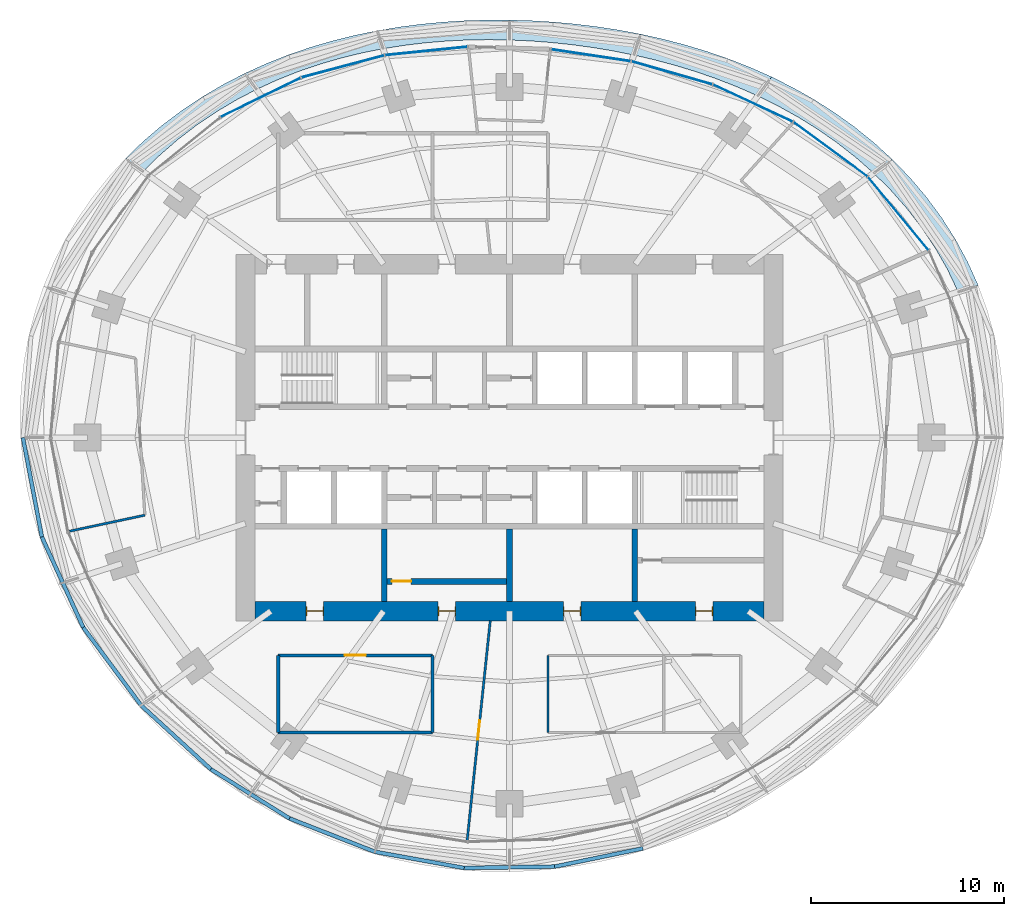
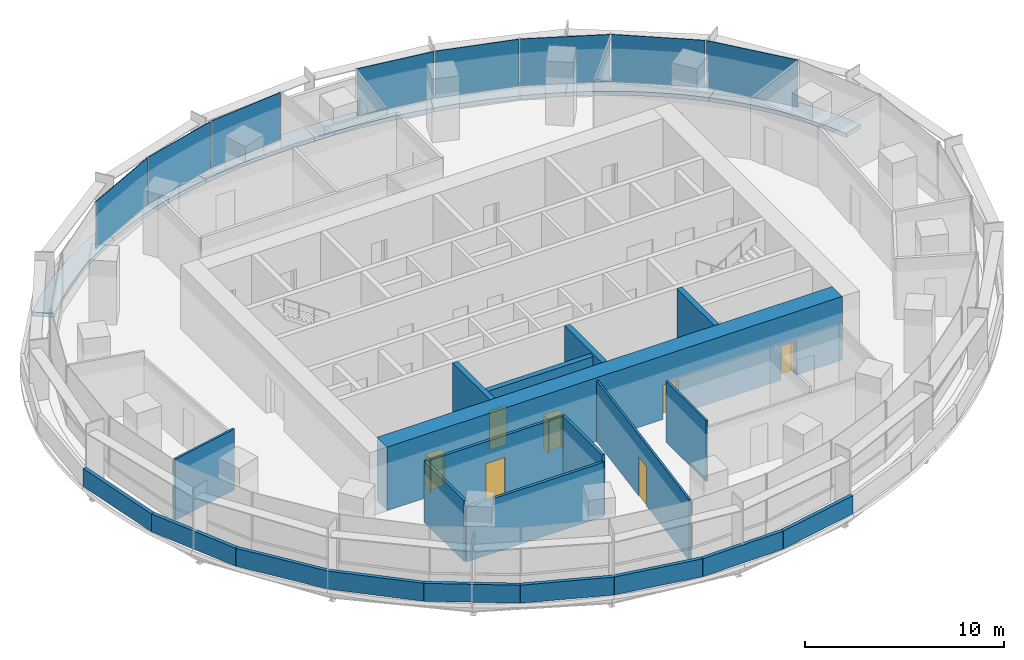
# One storey, part 11 of 17: 21 walls, 8 plates, 7 doors, 7 slabs, 7 openings, 4 elements without a shape of their own.
"""IFC4 building model written with IfcOpenShell, lengths in metres."""

import ifcopenshell
import ifcopenshell.guid

model = None  # the IFC model being written
_history = None  # IfcOwnerHistory: only IFC2X3 demands one
_inside = {}  # id of a spatial element -> (the spatial element, [elements in it])
_under = {}  # id of a project, library or spatial element -> (it, [spatial elements below it])
_declared = {}  # id of a project -> (the project, [libraries it declares])
_typed = {}  # id of a type object -> (the type object, [elements of that type])
_made_of = {}  # id of a material, layer set ... -> (it, [elements and type objects made of it])


def new_model(schema):
    """Start an empty IFC model of exactly this schema.

    Asked for "IFC4X3", IfcOpenShell would pick the latest addendum, in which some entities
    have other attributes; the version numbers below select the first issue.
    IFC2X3 requires an IfcOwnerHistory on every rooted entity: one is made here for all.
    """
    global model, _history
    if schema == "IFC4X3":
        model = ifcopenshell.file(schema_version=(4, 3, 0, 0))
    else:
        model = ifcopenshell.file(schema=schema)
    _inside.clear()
    _under.clear()
    _declared.clear()
    _typed.clear()
    _made_of.clear()
    _history = None
    if model.schema == "IFC2X3":
        org = make("IfcOrganization", Name="unknown")
        user = make(
            "IfcPersonAndOrganization",
            ThePerson=make("IfcPerson", FamilyName="unknown"),
            TheOrganization=org,
        )
        app = make(
            "IfcApplication",
            ApplicationDeveloper=org,
            Version="unknown",
            ApplicationFullName="unknown",
            ApplicationIdentifier="unknown",
        )
        _history = make(
            "IfcOwnerHistory",
            OwningUser=user,
            OwningApplication=app,
            ChangeAction="ADDED",
            CreationDate=0,
        )
    return model


def make(cls, **values):
    """One entity of the class cls with the attributes given. An attribute that is None is left unset."""
    return model.create_entity(
        cls, **{name: value for name, value in values.items() if value is not None}
    )


def rooted(cls, **values):
    """An entity with a GlobalId (a new one), such as an element, a storey or a relation."""
    return make(cls, GlobalId=ifcopenshell.guid.new(), OwnerHistory=_history, **values)


def si_unit(unit_type, name, prefix=None):
    """IfcSIUnit, for example si_unit("LENGTHUNIT", "METRE", prefix="MILLI")."""
    return make("IfcSIUnit", UnitType=unit_type, Prefix=prefix, Name=name)


def assignment(units):
    """IfcUnitAssignment: the units of a project."""
    return None if units is None else make("IfcUnitAssignment", Units=units)


def point(xyz):
    """IfcCartesianPoint."""
    return None if xyz is None else make("IfcCartesianPoint", Coordinates=xyz)


def direction(xyz):
    """IfcDirection."""
    return None if xyz is None else make("IfcDirection", DirectionRatios=xyz)


def frame(location, z_axis=None, x_axis=None):
    """IfcAxis2Placement3D, a coordinate frame: its origin and axes. An axis left out is left unset."""
    return make(
        "IfcAxis2Placement3D",
        Location=point(location),
        Axis=direction(z_axis),
        RefDirection=direction(x_axis),
    )


def frame_2d(location, x_axis=None):
    """IfcAxis2Placement2D, a coordinate frame in the plane: its origin and x axis."""
    return make(
        "IfcAxis2Placement2D", Location=point(location), RefDirection=direction(x_axis)
    )


def origin():
    """The frame at (0, 0, 0) with its axes left unset."""
    return frame((0.0, 0.0, 0.0))


def origin_2d():
    """The frame at (0, 0) in the plane with its x axis left unset."""
    return frame_2d((0.0, 0.0))


def place(relative_to, where):
    """IfcLocalPlacement: puts the frame where relative to a parent placement (None: the world)."""
    return make(
        "IfcLocalPlacement", PlacementRelTo=relative_to, RelativePlacement=where
    )


def context(
    kind, dimensions, precision=None, world=None, true_north=None, identifier=None
):
    """IfcGeometricRepresentationContext, for example the 3D "Model" context."""
    return make(
        "IfcGeometricRepresentationContext",
        ContextIdentifier=identifier,
        ContextType=kind,
        CoordinateSpaceDimension=dimensions,
        Precision=precision,
        WorldCoordinateSystem=world,
        TrueNorth=true_north,
    )


def subcontext(parent, identifier, kind, view, scale=None):
    """IfcGeometricRepresentationSubContext, for example "Body" below "Model"."""
    return make(
        "IfcGeometricRepresentationSubContext",
        ContextIdentifier=identifier,
        ContextType=kind,
        ParentContext=parent,
        TargetScale=scale,
        TargetView=view,
    )


def project(units=None, contexts=None):
    """IfcProject with its units and contexts."""
    return rooted(
        "IfcProject",
        Name="project",
        RepresentationContexts=contexts,
        UnitsInContext=assignment(units),
    )


def spatial(cls, under=None, at=None, **own):
    """A site, building, storey or space (cls), placed at a placement, below another one or the project."""
    s = rooted(cls, ObjectPlacement=at, **own)
    if under is not None:
        _under.setdefault(under.id(), (under, []))[1].append(s)
    return s


def polyline(points):
    """IfcPolyline through the points."""
    return make("IfcPolyline", Points=[point(p) for p in points])


def profile(cls, at=None, kind="AREA", **sizes):
    """A parametric profile (cls). Its sizes go by their IFC names, for example OverallWidth=200.0."""
    return make(cls, ProfileType=kind, Position=at, **sizes)


def rectangle(**sizes):
    """IfcRectangleProfileDef."""
    return profile("IfcRectangleProfileDef", **sizes)


def outline(outer, holes=None, kind="AREA"):
    """IfcArbitraryClosedProfileDef: a profile drawn as a closed curve; with holes, ...WithVoids."""
    if holes is None:
        return make("IfcArbitraryClosedProfileDef", ProfileType=kind, OuterCurve=outer)
    return make(
        "IfcArbitraryProfileDefWithVoids",
        ProfileType=kind,
        OuterCurve=outer,
        InnerCurves=holes,
    )


def extrude(swept, where, along, depth):
    """IfcExtrudedAreaSolid: the profile swept, set in the frame where, extruded along a direction by depth."""
    return make(
        "IfcExtrudedAreaSolid",
        SweptArea=swept,
        Position=where,
        ExtrudedDirection=direction(along),
        Depth=depth,
    )


def shape(context_of_items, identifier, shape_type, items):
    """IfcShapeRepresentation: the items that make up one representation, for example the "Body"."""
    return make(
        "IfcShapeRepresentation",
        ContextOfItems=context_of_items,
        RepresentationIdentifier=identifier,
        RepresentationType=shape_type,
        Items=items,
    )


def material(Name=None, Category=None):
    """IfcMaterial."""
    return make("IfcMaterial", Name=Name, Category=Category)


def layer(
    of_material, thickness, ventilated=None, Name=None, Category=None, Priority=None
):
    """IfcMaterialLayer: one layer of a wall or slab, of a material (None: an air gap)."""
    return make(
        "IfcMaterialLayer",
        Material=of_material,
        LayerThickness=thickness,
        IsVentilated=ventilated,
        Name=Name,
        Category=Category,
        Priority=Priority,
    )


def layer_set(layers, Name=None):
    """IfcMaterialLayerSet."""
    return make("IfcMaterialLayerSet", MaterialLayers=layers, LayerSetName=Name)


def made_of(thing, what):
    """Note that an element or type object is made of a material, layer set ...; save() writes the relation."""
    if what is not None:
        _made_of.setdefault(what.id(), (what, []))[1].append(thing)
    return thing


def type_object(cls, material=None, **own):
    """A type object (cls), such as IfcWallType, which elements share."""
    return made_of(rooted(cls, **own), material)


def element(
    cls,
    number,
    at=None,
    inside=None,
    cuts=None,
    type_object=None,
    material=None,
    context=None,
    identifier="Body",
    shape_type=None,
    held_by="IfcProductDefinitionShape",
    body=None,
    shapes=None,
    **own,
):
    """One element of the class cls, such as IfcWall. Its Tag is "e" and its number.

    at: its placement. inside: the storey or other place that contains it. cuts: it is an
    opening in that element (IfcRelVoidsElement). A single representation is given by context,
    identifier, shape_type and body (its items); several are given by shapes. held_by: the class
    of the entity that holds the representations. save() writes the other relations.
    """
    e = rooted(cls, Tag="e%d" % number, ObjectPlacement=at, **own)
    if body is not None:
        shapes = [shape(context, identifier, shape_type, body)]
    if shapes is not None:
        e.Representation = make(held_by, Representations=shapes)
    if inside is not None:
        _inside.setdefault(inside.id(), (inside, []))[1].append(e)
    if cuts is not None:
        rooted(
            "IfcRelVoidsElement", RelatingBuildingElement=cuts, RelatedOpeningElement=e
        )
    if type_object is not None:
        _typed.setdefault(type_object.id(), (type_object, []))[1].append(e)
    return made_of(e, material)


def fill(opening, filler):
    """IfcRelFillsElement: the door or window that sits in an opening."""
    return rooted(
        "IfcRelFillsElement",
        RelatingOpeningElement=opening,
        RelatedBuildingElement=filler,
    )


def aggregate(whole, parts):
    """IfcRelAggregates: a whole, such as a stair, and the parts it consists of."""
    return rooted("IfcRelAggregates", RelatingObject=whole, RelatedObjects=parts)


def save(model, path):
    """Write the relations noted so far, then the file.

    IfcRelAggregates (storeys below a building ...), IfcRelContainedInSpatialStructure (elements
    in a storey), IfcRelDefinesByType, IfcRelAssociatesMaterial and IfcRelDeclares: one each for
    every whole, place, type object, material and project.
    """
    for whole, parts in _under.values():
        aggregate(whole, parts)
    for where, things in _inside.values():
        rooted(
            "IfcRelContainedInSpatialStructure",
            RelatedElements=things,
            RelatingStructure=where,
        )
    for kind, things in _typed.values():
        rooted("IfcRelDefinesByType", RelatedObjects=things, RelatingType=kind)
    for what, things in _made_of.values():
        rooted("IfcRelAssociatesMaterial", RelatedObjects=things, RelatingMaterial=what)
    for by, libraries in _declared.values():
        rooted("IfcRelDeclares", RelatingContext=by, RelatedDefinitions=libraries)
    model.write(path)


model = new_model("IFC4")

# Units and contexts
model_context = context("Model", 3, precision=1e-05, world=origin(), true_north=direction((0.0, 1.0)))
body_context = subcontext(model_context, "Body", "Model", "MODEL_VIEW")
ifc_project = project(units=[si_unit("LENGTHUNIT", "METRE"), si_unit("AREAUNIT", "SQUARE_METRE"), si_unit("VOLUMEUNIT", "CUBIC_METRE"), si_unit("PLANEANGLEUNIT", "RADIAN"), si_unit("MASSUNIT", "GRAM", prefix="KILO")], contexts=[model_context])

# Site, building, storey
site_placement = place(None, origin())
site = spatial("IfcSite", under=ifc_project, at=site_placement, CompositionType="ELEMENT")
building_placement = place(site_placement, origin())
building = spatial("IfcBuilding", under=site, at=building_placement, Name="Marramba Exchange Tower", CompositionType="ELEMENT")
storey_placement = place(building_placement, frame((0.0, 0.0, 172.10009765625)))
storey = spatial("IfcBuildingStorey", under=building, at=storey_placement, Name="L41", CompositionType="ELEMENT", Elevation=172.10009765625)

# Curtain wall, plates
ifc_material_1 = material(Name="Aluminium framing, bronze anodised", Category="aluminium")
curtain_wall_type = type_object("IfcCurtainWallType", Name="Office ribbon curtain wall", PredefinedType="USERDEFINED", material=ifc_material_1)
curtain_wall_1_placement = place(storey_placement, origin())
curtain_wall_1 = element("IfcCurtainWall", 1, at=curtain_wall_1_placement, inside=storey, type_object=curtain_wall_type, Name="Curtain wall CW4 L41 F01-F05", ObjectType="RIBBON CURTAIN WALL", PredefinedType="USERDEFINED")
ifc_material_2 = material(Name="Laminated double glazed unit 10.76 + 16 + 10.76, bronze tinted", Category="glass")
ifc_layer_1 = layer(ifc_material_2, 0.03759765625)
ifc_layer_set_1 = layer_set([ifc_layer_1], Name="Office ribbon curtain wall panel")
plate_type = type_object("IfcPlateType", Name="Office ribbon curtain wall panel", PredefinedType="CURTAIN_PANEL", material=ifc_layer_set_1)
plate_1_placement = place(storey_placement, frame((20.174560546875, 11.631591796875, 0.85986328125), z_axis=(0.0, 0.0, 1.0), x_axis=(-0.637350227411, 0.770574258342, 0.0)))
plate_1 = element("IfcPlate", 2, at=plate_1_placement, type_object=plate_type, Name="CW4 vision panel", PredefinedType="CURTAIN_PANEL", context=body_context, shape_type="SweptSolid", body=[
    extrude(rectangle(XDim=4.90576171875, YDim=0.03759765625, at=origin_2d()), origin(), (0.0, 0.0, 1.0), 2.8798828125),
])
plate_2_placement = place(storey_placement, frame((16.653076171875, 14.965576171875, 0.85986328125), z_axis=(0.0, 0.0, 1.0), x_axis=(-0.804877259395, 0.593441317494, 0.0)))
plate_2 = element("IfcPlate", 3, at=plate_2_placement, type_object=plate_type, Name="CW4 vision panel", PredefinedType="CURTAIN_PANEL", context=body_context, shape_type="SweptSolid", body=[
    extrude(rectangle(XDim=4.745849609375, YDim=0.03759765625, at=origin_2d()), origin(), (0.0, 0.0, 1.0), 2.8798828125),
])
plate_3_placement = place(storey_placement, frame((12.63134765625, 17.357177734375, 0.85986328125), z_axis=(0.0, 0.0, 1.0), x_axis=(-0.906533907301, 0.422133006189, 0.0)))
plate_3 = element("IfcPlate", 4, at=plate_3_placement, type_object=plate_type, Name="CW4 vision panel", PredefinedType="CURTAIN_PANEL", context=body_context, shape_type="SweptSolid", body=[
    extrude(rectangle(XDim=4.53857421875, YDim=0.03759765625, at=origin_2d()), origin(), (0.0, 0.0, 1.0), 2.8798828125),
])
aggregate(curtain_wall_1, [plate_1, plate_2, plate_3])

curtain_wall_2_placement = place(storey_placement, origin())
curtain_wall_2 = element("IfcCurtainWall", 5, at=curtain_wall_2_placement, inside=storey, type_object=curtain_wall_type, Name="Curtain wall CW4 L41 F06-F07", ObjectType="RIBBON CURTAIN WALL", PredefinedType="USERDEFINED")
plate_4_placement = place(storey_placement, frame((8.4296875, 18.926513671875, 0.85986328125), z_axis=(0.0, 0.0, 1.0), x_axis=(-0.961658954195, 0.274248164656, 0.0)))
plate_4 = element("IfcPlate", 6, at=plate_4_placement, type_object=plate_type, Name="CW4 vision panel", PredefinedType="CURTAIN_PANEL", context=body_context, shape_type="SweptSolid", body=[
    extrude(rectangle(XDim=4.33984375, YDim=0.03759765625, at=origin_2d()), origin(), (0.0, 0.0, 1.0), 2.8798828125),
])
plate_5_placement = place(storey_placement, frame((4.230712890625, 19.839599609375, 0.85986328125), z_axis=(0.0, 0.0, 1.0), x_axis=(-0.988868065698, 0.148794988635, 0.0)))
plate_5 = element("IfcPlate", 7, at=plate_5_placement, type_object=plate_type, Name="CW4 vision panel", PredefinedType="CURTAIN_PANEL", context=body_context, shape_type="SweptSolid", body=[
    extrude(rectangle(XDim=4.15185546875, YDim=0.03759765625, at=origin_2d()), origin(), (0.0, 0.0, 1.0), 2.8798828125),
])
aggregate(curtain_wall_2, [plate_4, plate_5])

curtain_wall_3_placement = place(storey_placement, origin())
curtain_wall_3 = element("IfcCurtainWall", 8, at=curtain_wall_3_placement, inside=storey, type_object=curtain_wall_type, Name="Curtain wall CW4 L41 F09-F10", ObjectType="RIBBON CURTAIN WALL", PredefinedType="USERDEFINED")
plate_6_placement = place(storey_placement, frame((-4.320556640625, 20.064697265625, 0.85986328125), z_axis=(0.0, 0.0, 1.0), x_axis=(-0.994900357369, -0.100862673507, 0.0)))
plate_6 = element("IfcPlate", 9, at=plate_6_placement, type_object=plate_type, Name="CW4 vision panel", PredefinedType="CURTAIN_PANEL", context=body_context, shape_type="SweptSolid", body=[
    extrude(rectangle(XDim=4.279296875, YDim=0.03759765625, at=origin_2d()), origin(), (0.0, 0.0, 1.0), 2.8798828125),
])
plate_7_placement = place(storey_placement, frame((-8.6494140625, 19.262451171875, 0.85986328125), z_axis=(0.0, 0.0, 1.0), x_axis=(-0.966240653155, -0.257641223778, 0.0)))
plate_7 = element("IfcPlate", 10, at=plate_7_placement, type_object=plate_type, Name="CW4 vision panel", PredefinedType="CURTAIN_PANEL", context=body_context, shape_type="SweptSolid", body=[
    extrude(rectangle(XDim=4.433837890625, YDim=0.03759765625, at=origin_2d()), origin(), (0.0, 0.0, 1.0), 2.8798828125),
])
aggregate(curtain_wall_3, [plate_6, plate_7])

# Curtain wall, plate
curtain_wall_4_placement = place(storey_placement, origin())
curtain_wall_4 = element("IfcCurtainWall", 11, at=curtain_wall_4_placement, inside=storey, type_object=curtain_wall_type, Name="Curtain wall CW4 L41 F11-F15", ObjectType="RIBBON CURTAIN WALL", PredefinedType="USERDEFINED")
plate_8_placement = place(storey_placement, frame((-12.9150390625, 17.653564453125, 0.85986328125), z_axis=(0.0, 0.0, 1.0), x_axis=(-0.898500518805, -0.438972456661, 0.0)))
plate_8 = element("IfcPlate", 12, at=plate_8_placement, type_object=plate_type, Name="CW4 vision panel", PredefinedType="CURTAIN_PANEL", context=body_context, shape_type="SweptSolid", body=[
    extrude(rectangle(XDim=4.607177734375, YDim=0.03759765625, at=origin_2d()), origin(), (0.0, 0.0, 1.0), 2.8798828125),
])
aggregate(curtain_wall_4, [plate_8])

# Slabs
ifc_material_3 = material(Name="Concrete N40", Category="concrete")
ifc_layer_2 = layer(ifc_material_3, 0.25)
ifc_layer_set_2 = layer_set([ifc_layer_2], Name="Setback roof slab 250")
slab_type = type_object("IfcSlabType", Name="Setback roof slab 250", PredefinedType="ROOF", material=ifc_layer_set_2)
slab_1_placement = place(storey_placement, frame((0.0, 0.0, -0.25)))
element("IfcSlab", 13, at=slab_1_placement, inside=storey, type_object=slab_type, Name="Setback roof slab L41 bay 02 (maintenance access only)", PredefinedType="ROOF", context=body_context, shape_type="SweptSolid", body=[
    extrude(outline(polyline([(20.779541015625, 13.494384765625), (21.632080078125, 12.4892578125), (22.419677734375, 11.42333984375), (23.135009765625, 10.30029296875), (23.771484375, 9.125), (24.322998046875, 7.903076171875), (23.281494140625, 7.564697265625), (22.72900390625, 8.724853515625), (22.095947265625, 9.837646484375), (21.388427734375, 10.89794921875), (20.614013671875, 11.901611328125), (19.780029296875, 12.845458984375), (18.894287109375, 13.7275390625), (19.869384765625, 14.43603515625), (20.779541015625, 13.494384765625)])), origin(), (0.0, 0.0, 1.0), 0.25),
])
slab_2_placement = place(storey_placement, frame((0.0, 0.0, -0.25)))
element("IfcSlab", 14, at=slab_2_placement, inside=storey, type_object=slab_type, Name="Setback roof slab L41 bay 03 (maintenance access only)", PredefinedType="ROOF", context=body_context, shape_type="SweptSolid", body=[
    extrude(outline(polyline([(14.70947265625, 18.164794921875), (15.800048828125, 17.5478515625), (16.86767578125, 16.86767578125), (17.90625, 16.122802734375), (18.9091796875, 15.3125), (19.869384765625, 14.43603515625), (18.894287109375, 13.7275390625), (17.964111328125, 14.547119140625), (16.996826171875, 15.303955078125), (15.9990234375, 15.9990234375), (14.977294921875, 16.634033203125), (13.936767578125, 17.21044921875), (12.882568359375, 17.7314453125), (13.6015625, 18.720947265625), (14.70947265625, 18.164794921875)])), origin(), (0.0, 0.0, 1.0), 0.25),
])
slab_3_placement = place(storey_placement, frame((0.0, 0.0, -0.25)))
element("IfcSlab", 15, at=slab_3_placement, inside=storey, type_object=slab_type, Name="Setback roof slab L41 bay 04 (maintenance access only)", PredefinedType="ROOF", context=body_context, shape_type="SweptSolid", body=[
    extrude(outline(polyline([(7.94189453125, 20.689453125), (9.079833984375, 20.393798828125), (10.217041015625, 20.05224609375), (11.3515625, 19.66162109375), (12.48095703125, 19.218994140625), (13.6015625, 18.720947265625), (12.882568359375, 17.7314453125), (11.819091796875, 18.19970703125), (10.749267578125, 18.6181640625), (9.67578125, 18.989990234375), (8.60107421875, 19.318115234375), (7.52587890625, 19.60546875), (6.451171875, 19.8544921875), (6.804443359375, 20.942138671875), (7.94189453125, 20.689453125)])), origin(), (0.0, 0.0, 1.0), 0.25),
])
slab_4_placement = place(storey_placement, frame((0.0, 0.0, -0.25)))
element("IfcSlab", 16, at=slab_4_placement, inside=storey, type_object=slab_type, Name="Setback roof slab L41 bay 05 (maintenance access only)", PredefinedType="ROOF", context=body_context, shape_type="SweptSolid", body=[
    extrude(outline(polyline([(1.134033203125, 21.63818359375), (2.26708984375, 21.5693359375), (3.39990234375, 21.46630859375), (4.533447265625, 21.328369140625), (5.668212890625, 21.154296875), (6.804443359375, 20.942138671875), (6.451171875, 19.8544921875), (5.377197265625, 20.067626953125), (4.303466796875, 20.246337890625), (3.229736328125, 20.39208984375), (2.1552734375, 20.50537109375), (1.078857421875, 20.5869140625), (0.0, 20.63623046875), (0.0, 21.673095703125), (1.134033203125, 21.63818359375)])), origin(), (0.0, 0.0, 1.0), 0.25),
])
slab_5_placement = place(storey_placement, frame((0.0, 0.0, -0.25)))
element("IfcSlab", 17, at=slab_5_placement, inside=storey, type_object=slab_type, Name="Setback roof slab L41 bay 06 (maintenance access only)", PredefinedType="ROOF", context=body_context, shape_type="SweptSolid", body=[
    extrude(outline(polyline([(-6.8623046875, 21.1201171875), (-5.71044921875, 21.31201171875), (-4.5615234375, 21.460693359375), (-3.416259765625, 21.5693359375), (-2.2744140625, 21.6396484375), (-1.135986328125, 21.673828125), (0.0, 21.673095703125), (0.0, 20.63623046875), (-1.082275390625, 20.652587890625), (-2.168701171875, 20.634765625), (-3.259765625, 20.580810546875), (-4.35498046875, 20.4892578125), (-5.45458984375, 20.35693359375), (-6.557373046875, 20.181884765625), (-6.8623046875, 21.1201171875)])), origin(), (0.0, 0.0, 1.0), 0.25),
])
slab_6_placement = place(storey_placement, frame((0.0, 0.0, -0.25)))
element("IfcSlab", 18, at=slab_6_placement, inside=storey, type_object=slab_type, Name="Setback roof slab L41 bay 07 (maintenance access only)", PredefinedType="ROOF", context=body_context, shape_type="SweptSolid", body=[
    extrude(outline(polyline([(-13.7353515625, 18.905029296875), (-12.60888671875, 19.415771484375), (-11.4697265625, 19.8662109375), (-10.322509765625, 20.2587890625), (-9.170166015625, 20.5966796875), (-8.01611328125, 20.8828125), (-6.8623046875, 21.1201171875), (-6.557373046875, 20.181884765625), (-7.662353515625, 19.9609375), (-8.76708984375, 19.691162109375), (-9.869384765625, 19.369873046875), (-10.96630859375, 18.994384765625), (-12.05419921875, 18.561767578125), (-13.128662109375, 18.070068359375), (-13.7353515625, 18.905029296875)])), origin(), (0.0, 0.0, 1.0), 0.25),
])
slab_7_placement = place(storey_placement, frame((0.0, 0.0, -0.25)))
element("IfcSlab", 19, at=slab_7_placement, inside=storey, type_object=slab_type, Name="Setback roof slab L41 bay 08 (maintenance access only)", PredefinedType="ROOF", context=body_context, shape_type="SweptSolid", body=[
    extrude(outline(polyline([(-18.996826171875, 15.38330078125), (-18.013916015625, 16.2197265625), (-16.989990234375, 16.989990234375), (-15.931640625, 17.69384765625), (-14.8447265625, 18.331787109375), (-13.7353515625, 18.905029296875), (-13.128662109375, 18.070068359375), (-14.185546875, 17.517578125), (-15.218994140625, 16.902587890625), (-16.22412109375, 16.22412109375), (-17.195068359375, 15.482421875), (-18.12548828125, 14.677734375), (-19.009521484375, 13.811279296875), (-19.931884765625, 14.4814453125), (-18.996826171875, 15.38330078125)])), origin(), (0.0, 0.0, 1.0), 0.25),
])

# Wall
ifc_material_4 = material(Name="Plasterboard on staggered double steel studs, acoustic insulation", Category="steel")
ifc_layer_3 = layer(ifc_material_4, 0.169921875)
ifc_layer_set_3 = layer_set([ifc_layer_3], Name="Acoustic partition 170")
wall_type_1 = type_object("IfcWallType", Name="Acoustic partition 170", PredefinedType="PARTITIONING", material=ifc_layer_set_3)
wall_1_placement = place(storey_placement, frame((-12.0, -15.300048828125, 0.0), z_axis=(0.0, 0.0, 1.0), x_axis=(0.0, 1.0, 0.0)))
element("IfcWall", 20, at=wall_1_placement, inside=storey, type_object=wall_type_1, Name="Acoustic partition L41 02", PredefinedType="PARTITIONING", context=body_context, shape_type="SweptSolid", body=[
    extrude(rectangle(XDim=4.0, YDim=0.169921875, at=frame_2d((2.0, 0.0))), origin(), (0.0, 0.0, 1.0), 3.739990234375),
])

# Wall, opening, door
wall_2_placement = place(storey_placement, frame((-12.0, -11.300048828125, 0.0), z_axis=(0.0, 0.0, 1.0), x_axis=(1.0, 0.0, 0.0)))
wall_2 = element("IfcWall", 21, at=wall_2_placement, inside=storey, type_object=wall_type_1, Name="Acoustic partition L41 03", PredefinedType="PARTITIONING", context=body_context, shape_type="SweptSolid", body=[
    extrude(rectangle(XDim=8.0, YDim=0.169921875, at=frame_2d((4.0, 0.0))), origin(), (0.0, 0.0, 1.0), 3.739990234375),
])
opening_1_placement = place(wall_2_placement, frame((3.449951171875, 0.0, 0.0)))
opening_1 = element("IfcOpeningElement", 22, at=opening_1_placement, cuts=wall_2, Name="Opening D15", PredefinedType="OPENING", context=body_context, shape_type="SweptSolid", body=[
    extrude(rectangle(XDim=1.10009765625, YDim=2.39990234375, at=frame_2d((0.550048828125, 1.199951171875))), frame((0.0, 0.094970703125, 0.0), z_axis=(0.0, -1.0, 0.0), x_axis=(1.0, 0.0, 0.0)), (0.0, 0.0, 1.0), 0.18994140625),
])
ifc_material_5 = material(Name="Timber door", Category="wood")
door_type_1 = type_object("IfcDoorType", Name="Glazed meeting room door 1100x2400", OperationType="SINGLE_SWING_LEFT", PredefinedType="DOOR", material=ifc_material_5)
door_1_placement = place(opening_1_placement, frame((1.10009765625, 0.0, 0.0), z_axis=(0.0, 0.0, 1.0), x_axis=(-1.0, 0.0, 0.0)))
door_1 = element("IfcDoor", 23, at=door_1_placement, inside=storey, type_object=door_type_1, Name="D15 Meeting Room 3 L41", OperationType="SINGLE_SWING_RIGHT", OverallHeight=2.39990234375, OverallWidth=1.10009765625, PredefinedType="DOOR", context=body_context, shape_type="SweptSolid", body=[
    extrude(rectangle(XDim=1.10009765625, YDim=2.39990234375, at=frame_2d((0.550048828125, 1.199951171875))), frame((0.0, 0.025146484375, 0.0), z_axis=(0.0, -1.0, 0.0), x_axis=(1.0, 0.0, 0.0)), (0.0, 0.0, 1.0), 0.050048828125),
])
fill(opening_1, door_1)

# Walls
wall_3_placement = place(storey_placement, frame((-4.0, -15.300048828125, 0.0), z_axis=(0.0, 0.0, 1.0), x_axis=(-1.0, 0.0, 0.0)))
element("IfcWall", 24, at=wall_3_placement, inside=storey, type_object=wall_type_1, Name="Acoustic partition L41 04", PredefinedType="PARTITIONING", context=body_context, shape_type="SweptSolid", body=[
    extrude(rectangle(XDim=8.0, YDim=0.169921875, at=frame_2d((4.0, 0.0))), origin(), (0.0, 0.0, 1.0), 3.333984375),
])
wall_4_placement = place(storey_placement, frame((-4.0, -11.300048828125, 0.0), z_axis=(0.0, 0.0, 1.0), x_axis=(0.0, -1.0, 0.0)))
element("IfcWall", 25, at=wall_4_placement, inside=storey, type_object=wall_type_1, Name="Acoustic partition L41 05", PredefinedType="PARTITIONING", context=body_context, shape_type="SweptSolid", body=[
    extrude(rectangle(XDim=4.0, YDim=0.169921875, at=frame_2d((2.0, 0.0))), origin(), (0.0, 0.0, 1.0), 3.739990234375),
])

# Wall, openings, doors
ifc_material_6 = material(Name="Concrete N50", Category="concrete")
ifc_layer_4 = layer(ifc_material_6, 1.0)
ifc_layer_set_4 = layer_set([ifc_layer_4], Name="Core wall 1000")
wall_type_2 = type_object("IfcWallType", Name="Core wall 1000", PredefinedType="SHEAR", material=ifc_layer_set_4)
wall_5_placement = place(storey_placement, frame((-13.199951171875, -9.0, 0.0), z_axis=(0.0, 0.0, 1.0), x_axis=(1.0, 0.0, 0.0)))
wall_5 = element("IfcWall", 26, at=wall_5_placement, inside=storey, type_object=wall_type_2, Name="Core wall S L41", PredefinedType="SHEAR", context=body_context, shape_type="SweptSolid", body=[
    extrude(rectangle(XDim=26.39990234375, YDim=1.0, at=frame_2d((13.199951171875, 0.0))), origin(), (0.0, 0.0, 1.0), 3.89990234375),
])
opening_2_placement = place(wall_5_placement, frame((2.64990234375, 0.0, 0.0)))
opening_2 = element("IfcOpeningElement", 27, at=opening_2_placement, cuts=wall_5, Name="Opening D5", PredefinedType="OPENING", context=body_context, shape_type="SweptSolid", body=[
    extrude(rectangle(XDim=0.89990234375, YDim=2.10009765625, at=frame_2d((0.449951171875, 1.050048828125))), frame((0.0, 0.510009765625, 0.0), z_axis=(0.0, -1.0, 0.0), x_axis=(1.0, 0.0, 0.0)), (0.0, 0.0, 1.0), 1.02001953125),
])
opening_3_placement = place(wall_5_placement, frame((9.5, 0.0, 0.0)))
opening_3 = element("IfcOpeningElement", 28, at=opening_3_placement, cuts=wall_5, Name="Opening D5", PredefinedType="OPENING", context=body_context, shape_type="SweptSolid", body=[
    extrude(rectangle(XDim=0.89990234375, YDim=2.10009765625, at=frame_2d((0.449951171875, 1.050048828125))), frame((0.0, 0.510009765625, 0.0), z_axis=(0.0, -1.0, 0.0), x_axis=(1.0, 0.0, 0.0)), (0.0, 0.0, 1.0), 1.02001953125),
])
opening_4_placement = place(wall_5_placement, frame((16.0, 0.0, 0.0)))
opening_4 = element("IfcOpeningElement", 29, at=opening_4_placement, cuts=wall_5, Name="Opening D5", PredefinedType="OPENING", context=body_context, shape_type="SweptSolid", body=[
    extrude(rectangle(XDim=0.89990234375, YDim=2.10009765625, at=frame_2d((0.449951171875, 1.050048828125))), frame((0.0, 0.510009765625, 0.0), z_axis=(0.0, -1.0, 0.0), x_axis=(1.0, 0.0, 0.0)), (0.0, 0.0, 1.0), 1.02001953125),
])
opening_5_placement = place(wall_5_placement, frame((22.85009765625, 0.0, 0.0)))
opening_5 = element("IfcOpeningElement", 30, at=opening_5_placement, cuts=wall_5, Name="Opening D5", PredefinedType="OPENING", context=body_context, shape_type="SweptSolid", body=[
    extrude(rectangle(XDim=0.89990234375, YDim=2.10009765625, at=frame_2d((0.449951171875, 1.050048828125))), frame((0.0, 0.510009765625, 0.0), z_axis=(0.0, -1.0, 0.0), x_axis=(1.0, 0.0, 0.0)), (0.0, 0.0, 1.0), 1.02001953125),
])
ifc_material_7 = material(Name="Steel-framed door", Category="steel")
door_type_2 = type_object("IfcDoorType", Name="Service door 900x2100", OperationType="SINGLE_SWING_LEFT", PredefinedType="DOOR", material=ifc_material_7)
door_2_placement = place(opening_2_placement, origin())
door_2 = element("IfcDoor", 31, at=door_2_placement, inside=storey, type_object=door_type_2, Name="D5 ahu L41", OperationType="SINGLE_SWING_LEFT", OverallHeight=2.10009765625, OverallWidth=0.89990234375, PredefinedType="DOOR", context=body_context, shape_type="SweptSolid", body=[
    extrude(rectangle(XDim=0.81982421875, YDim=2.06005859375, at=frame_2d((0.449951171875, 1.030029296875))), frame((0.0, 0.02490234375, 0.0), z_axis=(0.0, -1.0, 0.0), x_axis=(1.0, 0.0, 0.0)), (0.0, 0.0, 1.0), 0.050048828125),
    extrude(rectangle(XDim=0.04, YDim=2.10009765625, at=frame_2d((0.02001953125, 1.050048828125))), frame((0.0, 0.25, 0.0), z_axis=(0.0, -1.0, 0.0), x_axis=(1.0, 0.0, 0.0)), (0.0, 0.0, 1.0), 0.5),
    extrude(rectangle(XDim=0.04, YDim=2.10009765625, at=frame_2d((0.8798828125, 1.050048828125))), frame((0.0, 0.25, 0.0), z_axis=(0.0, -1.0, 0.0), x_axis=(1.0, 0.0, 0.0)), (0.0, 0.0, 1.0), 0.5),
    extrude(rectangle(XDim=0.81982421875, YDim=0.04, at=frame_2d((0.449951171875, 2.080078125))), frame((0.0, 0.25, 0.0), z_axis=(0.0, -1.0, 0.0), x_axis=(1.0, 0.0, 0.0)), (0.0, 0.0, 1.0), 0.5),
])
fill(opening_2, door_2)
door_3_placement = place(opening_3_placement, origin())
door_3 = element("IfcDoor", 32, at=door_3_placement, inside=storey, type_object=door_type_2, Name="D5 store L41", OperationType="SINGLE_SWING_RIGHT", OverallHeight=2.10009765625, OverallWidth=0.89990234375, PredefinedType="DOOR", context=body_context, shape_type="SweptSolid", body=[
    extrude(rectangle(XDim=0.81982421875, YDim=2.06005859375, at=frame_2d((0.449951171875, 1.030029296875))), frame((0.0, 0.02490234375, 0.0), z_axis=(0.0, -1.0, 0.0), x_axis=(1.0, 0.0, 0.0)), (0.0, 0.0, 1.0), 0.050048828125),
    extrude(rectangle(XDim=0.04, YDim=2.10009765625, at=frame_2d((0.02001953125, 1.050048828125))), frame((0.0, 0.25, 0.0), z_axis=(0.0, -1.0, 0.0), x_axis=(1.0, 0.0, 0.0)), (0.0, 0.0, 1.0), 0.5),
    extrude(rectangle(XDim=0.04, YDim=2.10009765625, at=frame_2d((0.8798828125, 1.050048828125))), frame((0.0, 0.25, 0.0), z_axis=(0.0, -1.0, 0.0), x_axis=(1.0, 0.0, 0.0)), (0.0, 0.0, 1.0), 0.5),
    extrude(rectangle(XDim=0.81982421875, YDim=0.04, at=frame_2d((0.449951171875, 2.080078125))), frame((0.0, 0.25, 0.0), z_axis=(0.0, -1.0, 0.0), x_axis=(1.0, 0.0, 0.0)), (0.0, 0.0, 1.0), 0.5),
])
fill(opening_3, door_3)
door_4_placement = place(opening_4_placement, origin())
door_4 = element("IfcDoor", 33, at=door_4_placement, inside=storey, type_object=door_type_2, Name="D5 switch L41", OperationType="SINGLE_SWING_RIGHT", OverallHeight=2.10009765625, OverallWidth=0.89990234375, PredefinedType="DOOR", context=body_context, shape_type="SweptSolid", body=[
    extrude(rectangle(XDim=0.81982421875, YDim=2.06005859375, at=frame_2d((0.449951171875, 1.030029296875))), frame((0.0, 0.02490234375, 0.0), z_axis=(0.0, -1.0, 0.0), x_axis=(1.0, 0.0, 0.0)), (0.0, 0.0, 1.0), 0.050048828125),
    extrude(rectangle(XDim=0.04, YDim=2.10009765625, at=frame_2d((0.02001953125, 1.050048828125))), frame((0.0, 0.25, 0.0), z_axis=(0.0, -1.0, 0.0), x_axis=(1.0, 0.0, 0.0)), (0.0, 0.0, 1.0), 0.5),
    extrude(rectangle(XDim=0.04, YDim=2.10009765625, at=frame_2d((0.8798828125, 1.050048828125))), frame((0.0, 0.25, 0.0), z_axis=(0.0, -1.0, 0.0), x_axis=(1.0, 0.0, 0.0)), (0.0, 0.0, 1.0), 0.5),
    extrude(rectangle(XDim=0.81982421875, YDim=0.04, at=frame_2d((0.449951171875, 2.080078125))), frame((0.0, 0.25, 0.0), z_axis=(0.0, -1.0, 0.0), x_axis=(1.0, 0.0, 0.0)), (0.0, 0.0, 1.0), 0.5),
])
fill(opening_4, door_4)
door_5_placement = place(opening_5_placement, origin())
door_5 = element("IfcDoor", 34, at=door_5_placement, inside=storey, type_object=door_type_2, Name="D5 cstore L41", OperationType="SINGLE_SWING_RIGHT", OverallHeight=2.10009765625, OverallWidth=0.89990234375, PredefinedType="DOOR", context=body_context, shape_type="SweptSolid", body=[
    extrude(rectangle(XDim=0.81982421875, YDim=2.06005859375, at=frame_2d((0.449951171875, 1.030029296875))), frame((0.0, 0.02490234375, 0.0), z_axis=(0.0, -1.0, 0.0), x_axis=(1.0, 0.0, 0.0)), (0.0, 0.0, 1.0), 0.050048828125),
    extrude(rectangle(XDim=0.04, YDim=2.10009765625, at=frame_2d((0.02001953125, 1.050048828125))), frame((0.0, 0.25, 0.0), z_axis=(0.0, -1.0, 0.0), x_axis=(1.0, 0.0, 0.0)), (0.0, 0.0, 1.0), 0.5),
    extrude(rectangle(XDim=0.04, YDim=2.10009765625, at=frame_2d((0.8798828125, 1.050048828125))), frame((0.0, 0.25, 0.0), z_axis=(0.0, -1.0, 0.0), x_axis=(1.0, 0.0, 0.0)), (0.0, 0.0, 1.0), 0.5),
    extrude(rectangle(XDim=0.81982421875, YDim=0.04, at=frame_2d((0.449951171875, 2.080078125))), frame((0.0, 0.25, 0.0), z_axis=(0.0, -1.0, 0.0), x_axis=(1.0, 0.0, 0.0)), (0.0, 0.0, 1.0), 0.5),
])
fill(opening_5, door_5)

# Walls
ifc_layer_5 = layer(ifc_material_6, 0.300048828125)
ifc_layer_set_5 = layer_set([ifc_layer_5], Name="Core wall 300")
wall_type_3 = type_object("IfcWallType", Name="Core wall 300", PredefinedType="SHEAR", material=ifc_layer_set_5)
for number, where, z_axis, x_axis, name in (
    (35, (-6.5, -4.75, 0.0), (0.0, 0.0, 1.0), (0.0, -1.0, 0.0), "Core wall X0Sb L41"),
    (36, (6.5, -4.75, 0.0), (0.0, 0.0, 1.0), (0.0, -1.0, 0.0), "Core wall X1Sb L41"),
    (37, (0.0, -4.75, 0.0), (0.0, 0.0, 1.0), (0.0, -1.0, 0.0), "Core wall MS L41"),
):
    element("IfcWall", number, at=place(storey_placement, frame(where, z_axis=z_axis, x_axis=x_axis)), inside=storey, type_object=wall_type_3, Name=name, PredefinedType="SHEAR", context=body_context, shape_type="SweptSolid", body=[
        extrude(rectangle(XDim=3.75, YDim=0.300048828125, at=frame_2d((1.875, 0.0))), origin(), (0.0, 0.0, 1.0), 3.89990234375),
    ])
ifc_material_8 = material(Name="Plasterboard on steel studs", Category="steel")
ifc_layer_6 = layer(ifc_material_8, 0.1201171875)
ifc_layer_set_6 = layer_set([ifc_layer_6], Name="Partition 120")
wall_type_4 = type_object("IfcWallType", Name="Partition 120", PredefinedType="PARTITIONING", material=ifc_layer_set_6)
wall_6_placement = place(storey_placement, frame((-22.8349609375, -4.853759765625, 0.0), z_axis=(0.0, 0.0, 1.0), x_axis=(0.978152955943, 0.207886494942, 0.0)))
element("IfcWall", 38, at=wall_6_placement, inside=storey, type_object=wall_type_4, Name="Partition L41 01", PredefinedType="PARTITIONING", context=body_context, shape_type="SweptSolid", body=[
    extrude(rectangle(XDim=4.0, YDim=0.1201171875, at=frame_2d((2.0, 0.0))), origin(), (0.0, 0.0, 1.0), 3.739990234375),
])

# Wall, opening, door
wall_7_placement = place(storey_placement, frame((-2.1962890625, -20.89599609375, 0.0), z_axis=(0.0, 0.0, 1.0), x_axis=(0.104527293836, 0.99452201828, 0.0)))
wall_7 = element("IfcWall", 39, at=wall_7_placement, inside=storey, type_object=wall_type_4, Name="Partition L41 06", PredefinedType="PARTITIONING", context=body_context, shape_type="SweptSolid", body=[
    extrude(rectangle(XDim=11.458740234375, YDim=0.1201171875, at=frame_2d((5.7294921875, 0.0))), origin(), (0.0, 0.0, 1.0), 3.739990234375),
])
opening_6_placement = place(wall_7_placement, frame((5.25390625, 0.0, 0.0)))
opening_6 = element("IfcOpeningElement", 40, at=opening_6_placement, cuts=wall_7, Name="Opening D9", PredefinedType="OPENING", context=body_context, shape_type="SweptSolid", body=[
    extrude(rectangle(XDim=1.0, YDim=2.39990234375, at=frame_2d((0.5, 1.199951171875))), frame((0.0, 0.070068359375, 0.0), z_axis=(0.0, -1.0, 0.0), x_axis=(1.0, 0.0, 0.0)), (0.0, 0.0, 1.0), 0.14013671875),
])
door_type_3 = type_object("IfcDoorType", Name="Room door 1000x2400", OperationType="SINGLE_SWING_LEFT", PredefinedType="DOOR", material=ifc_material_5)
door_6_placement = place(opening_6_placement, frame((1.0, 0.0, 0.0), z_axis=(0.0, 0.0, 1.0), x_axis=(-1.0, 0.0, 0.0)))
door_6 = element("IfcDoor", 41, at=door_6_placement, inside=storey, type_object=door_type_3, Name="D9 Client Reception L41", OperationType="SINGLE_SWING_RIGHT", OverallHeight=2.39990234375, OverallWidth=1.0, PredefinedType="DOOR", context=body_context, shape_type="SweptSolid", body=[
    extrude(rectangle(XDim=1.0, YDim=2.39990234375, at=frame_2d((0.5, 1.199951171875))), frame((0.0, 0.025146484375, 0.0), z_axis=(0.0, -1.0, 0.0), x_axis=(1.0, 0.0, 0.0)), (0.0, 0.0, 1.0), 0.050048828125),
])
fill(opening_6, door_6)

# Walls
wall_8_placement = place(storey_placement, frame((2.0, -15.300048828125, 0.0), z_axis=(0.0, 0.0, 1.0), x_axis=(0.0, 1.0, 0.0)))
element("IfcWall", 42, at=wall_8_placement, inside=storey, type_object=wall_type_4, Name="Partition L41 07", PredefinedType="PARTITIONING", context=body_context, shape_type="SweptSolid", body=[
    extrude(rectangle(XDim=4.0, YDim=0.1201171875, at=frame_2d((2.0, 0.0))), origin(), (0.0, 0.0, 1.0), 3.739990234375),
])
ifc_layer_7 = layer(ifc_material_3, 0.199951171875)
ifc_layer_set_7 = layer_set([ifc_layer_7], Name="Roof parapet 200")
wall_type_5 = type_object("IfcWallType", Name="Roof parapet 200", PredefinedType="PARAPET", material=ifc_layer_set_7)
wall_9_placement = place(storey_placement, frame((-25.248046875, 0.0, 0.0), z_axis=(0.0, 0.0, 1.0), x_axis=(0.187479601308, -0.982268496437, 0.0)))
element("IfcWall", 43, at=wall_9_placement, inside=storey, type_object=wall_type_5, Name="Parapet L41 F16", PredefinedType="PARAPET", context=body_context, shape_type="SweptSolid", body=[
    extrude(rectangle(XDim=5.25048828125, YDim=0.199951171875, at=frame_2d((2.625244140625, 0.0))), origin(), (0.0, 0.0, 1.0), 1.099853515625),
])
wall_10_placement = place(storey_placement, frame((-24.263671875, -5.157470703125, 0.0), z_axis=(0.0, 0.0, 1.0), x_axis=(0.4157564042, -0.909476009781, 0.0)))
element("IfcWall", 44, at=wall_10_placement, inside=storey, type_object=wall_type_5, Name="Parapet L41 F17", PredefinedType="PARAPET", context=body_context, shape_type="SweptSolid", body=[
    extrude(rectangle(XDim=5.157470703125, YDim=0.199951171875, at=frame_2d((2.57861328125, 0.0))), origin(), (0.0, 0.0, 1.0), 1.099853515625),
])
wall_11_placement = place(storey_placement, frame((-22.119384765625, -9.84814453125, 0.0), z_axis=(0.0, 0.0, 1.0), x_axis=(0.59642488714, -0.802668894377, 0.0)))
element("IfcWall", 45, at=wall_11_placement, inside=storey, type_object=wall_type_5, Name="Parapet L41 F18", PredefinedType="PARAPET", context=body_context, shape_type="SweptSolid", body=[
    extrude(rectangle(XDim=5.034423828125, YDim=0.199951171875, at=frame_2d((2.51708984375, 0.0))), origin(), (0.0, 0.0, 1.0), 1.099853515625),
])
wall_12_placement = place(storey_placement, frame((-19.11669921875, -13.88916015625, 0.0), z_axis=(0.0, 0.0, 1.0), x_axis=(0.737172703899, -0.675704376651, 0.0)))
element("IfcWall", 46, at=wall_12_placement, inside=storey, type_object=wall_type_5, Name="Parapet L41 F19", PredefinedType="PARAPET", context=body_context, shape_type="SweptSolid", body=[
    extrude(rectangle(XDim=4.9130859375, YDim=0.199951171875, at=frame_2d((2.45654296875, 0.0))), origin(), (0.0, 0.0, 1.0), 1.099853515625),
])
wall_13_placement = place(storey_placement, frame((-15.494873046875, -17.208984375, 0.0), z_axis=(0.0, 0.0, 1.0), x_axis=(0.848001151092, -0.529994384637, 0.0)))
element("IfcWall", 47, at=wall_13_placement, inside=storey, type_object=wall_type_5, Name="Parapet L41 F20", PredefinedType="PARAPET", context=body_context, shape_type="SweptSolid", body=[
    extrude(rectangle(XDim=4.8173828125, YDim=0.199951171875, at=frame_2d((2.40869140625, 0.0))), origin(), (0.0, 0.0, 1.0), 1.099853515625),
])
wall_14_placement = place(storey_placement, frame((-11.40966796875, -19.76220703125, 0.0), z_axis=(0.0, 0.0, 1.0), x_axis=(0.931631076594, -0.363405472061, 0.0)))
element("IfcWall", 48, at=wall_14_placement, inside=storey, type_object=wall_type_5, Name="Parapet L41 F21", PredefinedType="PARAPET", context=body_context, shape_type="SweptSolid", body=[
    extrude(rectangle(XDim=4.75244140625, YDim=0.199951171875, at=frame_2d((2.376220703125, 0.0))), origin(), (0.0, 0.0, 1.0), 1.099853515625),
])
wall_15_placement = place(storey_placement, frame((-6.982177734375, -21.4892578125, 0.0), z_axis=(0.0, 0.0, 1.0), x_axis=(0.983979183624, -0.17828338732, 0.0)))
element("IfcWall", 49, at=wall_15_placement, inside=storey, type_object=wall_type_5, Name="Parapet L41 F22", PredefinedType="PARAPET", context=body_context, shape_type="SweptSolid", body=[
    extrude(rectangle(XDim=4.710693359375, YDim=0.199951171875, at=frame_2d((2.35546875, 0.0))), origin(), (0.0, 0.0, 1.0), 1.099853515625),
])
wall_16_placement = place(storey_placement, frame((-2.346923828125, -22.3291015625, 0.0), z_axis=(0.0, 0.0, 1.0), x_axis=(0.999887472107, 0.015001437381, 0.0)))
element("IfcWall", 50, at=wall_16_placement, inside=storey, type_object=wall_type_5, Name="Parapet L41 F23", PredefinedType="PARAPET", context=body_context, shape_type="SweptSolid", body=[
    extrude(rectangle(XDim=4.68701171875, YDim=0.199951171875, at=frame_2d((2.343505859375, 0.0))), origin(), (0.0, 0.0, 1.0), 1.099853515625),
])
wall_17_placement = place(storey_placement, frame((2.339599609375, -22.2587890625, 0.0), z_axis=(0.0, 0.0, 1.0), x_axis=(0.97929465577, 0.202440058241, 0.0)))
element("IfcWall", 51, at=wall_17_placement, inside=storey, type_object=wall_type_5, Name="Parapet L41 F24", PredefinedType="PARAPET", context=body_context, shape_type="SweptSolid", body=[
    extrude(rectangle(XDim=4.681640625, YDim=0.199951171875, at=frame_2d((2.3408203125, 0.0))), origin(), (0.0, 0.0, 1.0), 1.099853515625),
])

# Wall, opening, door
ifc_material_9 = material(Name="Plasterboard on steel studs, insulated, unrated", Category="steel")
ifc_layer_8 = layer(ifc_material_9, 0.300048828125)
ifc_layer_set_8 = layer_set([ifc_layer_8], Name="Store partition 300")
wall_type_6 = type_object("IfcWallType", Name="Store partition 300", PredefinedType="PARTITIONING", material=ifc_layer_set_8)
wall_18_placement = place(storey_placement, frame((-6.35009765625, -7.4599609375, 0.0), z_axis=(0.0, 0.0, 1.0), x_axis=(1.0, 0.0, 0.0)))
wall_18 = element("IfcWall", 52, at=wall_18_placement, inside=storey, type_object=wall_type_6, Name="Store partition L41 store", PredefinedType="PARTITIONING", context=body_context, shape_type="SweptSolid", body=[
    extrude(rectangle(XDim=6.2001953125, YDim=0.300048828125, at=frame_2d((3.10009765625, 0.0))), origin(), (0.0, 0.0, 1.0), 3.739990234375),
])
opening_7_placement = place(wall_18_placement, frame((0.25, 0.0, 0.0)))
opening_7 = element("IfcOpeningElement", 53, at=opening_7_placement, cuts=wall_18, Name="Opening D9", PredefinedType="OPENING", context=body_context, shape_type="SweptSolid", body=[
    extrude(rectangle(XDim=1.0, YDim=2.39990234375, at=frame_2d((0.5, 1.199951171875))), frame((0.0, 0.159912109375, 0.0), z_axis=(0.0, -1.0, 0.0), x_axis=(1.0, 0.0, 0.0)), (0.0, 0.0, 1.0), 0.320068359375),
])
door_7_placement = place(opening_7_placement, frame((1.0, 0.0, 0.0), z_axis=(0.0, 0.0, 1.0), x_axis=(-1.0, 0.0, 0.0)))
door_7 = element("IfcDoor", 54, at=door_7_placement, inside=storey, type_object=door_type_3, Name="D9 stationery store L41", OperationType="SINGLE_SWING_RIGHT", OverallHeight=2.39990234375, OverallWidth=1.0, PredefinedType="DOOR", context=body_context, shape_type="SweptSolid", body=[
    extrude(rectangle(XDim=1.0, YDim=2.39990234375, at=frame_2d((0.5, 1.199951171875))), frame((0.0, 0.025146484375, 0.0), z_axis=(0.0, -1.0, 0.0), x_axis=(1.0, 0.0, 0.0)), (0.0, 0.0, 1.0), 0.050048828125),
])
fill(opening_7, door_7)

save(model, "model.ifc")
